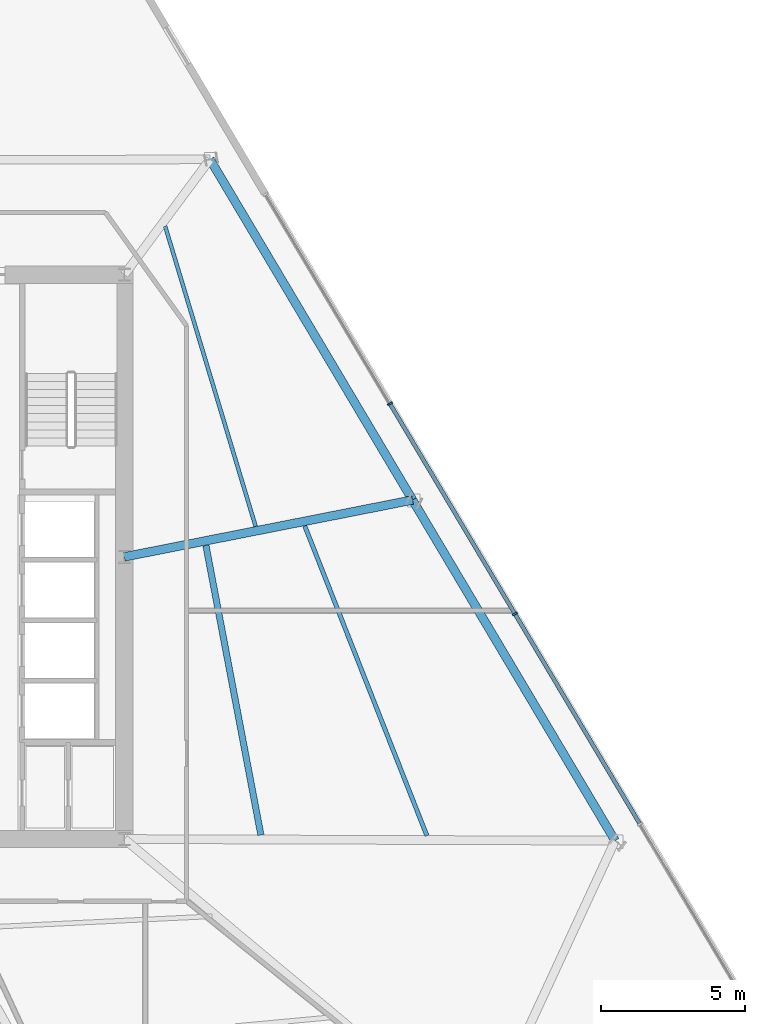
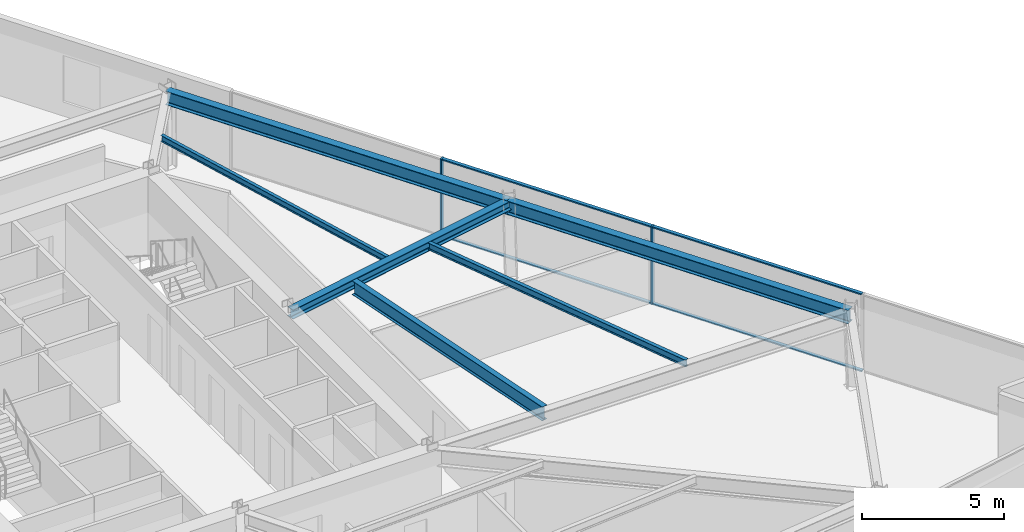
# One storey, part 6 of 18: 6 beams, 6 members, 1 element without a shape of its own.
"""IFC4 building model written with IfcOpenShell, lengths in metres."""

from ifc_helpers import new_model, si_unit, direction, frame, origin, origin_2d, place, context, subcontext, project, spatial, rectangle, i_section, extrude, material, material_profile, profile_set, type_object, element, aggregate, save


model = new_model("IFC4")

# Units and contexts
model_context = context("Model", 3, precision=1e-05, world=origin(), true_north=direction((0.0, 1.0)))
body_context = subcontext(model_context, "Body", "Model", "MODEL_VIEW")
ifc_project = project(units=[si_unit("LENGTHUNIT", "METRE"), si_unit("AREAUNIT", "SQUARE_METRE"), si_unit("VOLUMEUNIT", "CUBIC_METRE"), si_unit("PLANEANGLEUNIT", "RADIAN"), si_unit("MASSUNIT", "GRAM", prefix="KILO")], contexts=[model_context])

# Site, building, storey
site_placement = place(None, origin())
site = spatial("IfcSite", under=ifc_project, at=site_placement, CompositionType="ELEMENT")
building_placement = place(site_placement, origin())
building = spatial("IfcBuilding", under=site, at=building_placement, Name="Savorim Split Tower", CompositionType="ELEMENT")
storey_placement = place(building_placement, frame((0.0, 0.0, 40.800048828125)))
storey = spatial("IfcBuildingStorey", under=building, at=storey_placement, Name="L10", CompositionType="ELEMENT", Elevation=40.800048828125)

# Beams
ifc_material_1 = material(Name="Steel S355", Category="steel")
ifc_material_profile_1 = material_profile(ifc_material_1, i_section(OverallWidth=0.135009765625, OverallDepth=0.27001953125, WebThickness=0.006591796875, FlangeThickness=0.01025390625, FilletRadius=0.014892578125, at=origin_2d()), Name="IPE 270")
ifc_profile_set_1 = profile_set([ifc_material_profile_1], Name="Steel S355")
beam_type_1 = type_object("IfcBeamType", Name="BM-JST-IPE270", PredefinedType="JOIST", material=ifc_profile_set_1)
beam_1_placement = place(storey_placement, frame((12.257568359375, 1.46142578125, 3.21484375), z_axis=(-0.288637098089, 0.95743857537, 0.0), x_axis=(-0.95743857537, -0.288637098089, 0.0)))
element("IfcBeam", 1, at=beam_1_placement, inside=storey, type_object=beam_type_1, Name="L10 Secondary Floor Joist JS-07", PredefinedType="JOIST", context=body_context, shape_type="SweptSolid", body=[
    extrude(i_section(OverallWidth=0.135009765625, OverallDepth=0.27001953125, WebThickness=0.006591796875, FlangeThickness=0.01025390625, FilletRadius=0.014892578125, at=origin_2d()), origin(), (0.0, 0.0, 1.0), 10.89111328125),
])
ifc_material_profile_2 = material_profile(ifc_material_1, i_section(OverallWidth=0.14990234375, OverallDepth=0.300048828125, WebThickness=0.007080078125, FlangeThickness=0.0107421875, FilletRadius=0.014892578125, at=origin_2d()), Name="IPE 300")
ifc_profile_set_2 = profile_set([ifc_material_profile_2], Name="Steel S355")
beam_type_2 = type_object("IfcBeamType", Name="BM-JST-IPE300", PredefinedType="JOIST", material=ifc_profile_set_2)
beam_2_placement = place(storey_placement, frame((18.20751953125, -9.285400390625, 3.199951171875), z_axis=(-0.366877716276, 0.930269176798, 0.0), x_axis=(-0.930269176798, -0.366877716276, 0.0)))
element("IfcBeam", 2, at=beam_2_placement, inside=storey, type_object=beam_type_2, Name="L10 Secondary Floor Joist JS-06", PredefinedType="JOIST", context=body_context, shape_type="SweptSolid", body=[
    extrude(i_section(OverallWidth=0.14990234375, OverallDepth=0.300048828125, WebThickness=0.007080078125, FlangeThickness=0.0107421875, FilletRadius=0.014892578125, at=origin_2d()), origin(), (0.0, 0.0, 1.0), 11.567626953125),
])
ifc_material_profile_3 = material_profile(ifc_material_1, i_section(OverallWidth=0.219970703125, OverallDepth=0.60009765625, WebThickness=0.011962890625, FlangeThickness=0.01904296875, FilletRadius=0.02392578125, at=origin_2d()), Name="IPE 600")
ifc_profile_set_3 = profile_set([ifc_material_profile_3], Name="Steel S355")
beam_type_3 = type_object("IfcBeamType", Name="BM-JST-IPE600", PredefinedType="JOIST", material=ifc_profile_set_3)
beam_3_placement = place(storey_placement, frame((12.44189453125, -9.25830078125, 3.050048828125), z_axis=(-0.186628640705, 0.982430532134, 0.0), x_axis=(-0.982430532134, -0.186628640705, 0.0)))
element("IfcBeam", 3, at=beam_3_placement, inside=storey, type_object=beam_type_3, Name="L10 Secondary Floor Joist JS-08", PredefinedType="JOIST", context=body_context, shape_type="SweptSolid", body=[
    extrude(i_section(OverallWidth=0.219970703125, OverallDepth=0.60009765625, WebThickness=0.011962890625, FlangeThickness=0.01904296875, FilletRadius=0.02392578125, at=origin_2d()), origin(), (0.0, 0.0, 1.0), 10.233642578125),
])
ifc_material_profile_4 = material_profile(ifc_material_1, i_section(OverallWidth=0.300048828125, OverallDepth=0.39990234375, WebThickness=0.013427734375, FlangeThickness=0.02392578125, FilletRadius=0.027099609375, at=origin_2d()), Name="HEB 400")
ifc_profile_set_4 = profile_set([ifc_material_profile_4], Name="Steel S355")
beam_type_4 = type_object("IfcBeamType", Name="BM-PRI-HEB400", PredefinedType="BEAM", material=ifc_profile_set_4)
beam_4_placement = place(storey_placement, frame((17.7080078125, 2.37451171875, 3.14990234375), z_axis=(-0.981086409546, -0.193570289572, 0.0), x_axis=(0.193570289572, -0.981086409546, 0.0)))
element("IfcBeam", 4, at=beam_4_placement, inside=storey, type_object=beam_type_4, Name="L10 Primary Floor Girder RG-06", PredefinedType="BEAM", context=body_context, shape_type="SweptSolid", body=[
    extrude(i_section(OverallWidth=0.300048828125, OverallDepth=0.39990234375, WebThickness=0.013427734375, FlangeThickness=0.02392578125, FilletRadius=0.027099609375, at=origin_2d()), origin(), (0.0, 0.0, 1.0), 10.200927734375),
])
ifc_material_profile_5 = material_profile(ifc_material_1, i_section(OverallWidth=0.300048828125, OverallDepth=0.590087890625, WebThickness=0.012939453125, FlangeThickness=0.02490234375, FilletRadius=0.027099609375, at=origin_2d()), Name="HEA 600")
ifc_profile_set_5 = profile_set([ifc_material_profile_5], Name="Steel S355")
beam_type_5 = type_object("IfcBeamType", Name="BM-SPN-HEA600", PredefinedType="SPANDREL", material=ifc_profile_set_5)
beam_5_placement = place(storey_placement, frame((24.7421875, -9.455322265625, 3.054931640625), z_axis=(-0.511087435614, 0.85952872736, 0.0), x_axis=(-0.85952872736, -0.511087435614, 0.0)))
element("IfcBeam", 5, at=beam_5_placement, inside=storey, type_object=beam_type_5, Name="L10 Perimeter Spandrel Beam 5", PredefinedType="SPANDREL", context=body_context, shape_type="SweptSolid", body=[
    extrude(i_section(OverallWidth=0.300048828125, OverallDepth=0.590087890625, WebThickness=0.012939453125, FlangeThickness=0.02490234375, FilletRadius=0.027099609375, at=origin_2d()), origin(), (0.0, 0.0, 1.0), 13.76318359375),
])
beam_6_placement = place(storey_placement, frame((17.7080078125, 2.37451171875, 3.054931640625), z_axis=(-0.511092748133, 0.859525568442, 0.0), x_axis=(-0.859525568442, -0.511092748133, 0.0)))
element("IfcBeam", 6, at=beam_6_placement, inside=storey, type_object=beam_type_5, Name="L10 Perimeter Spandrel Beam 6", PredefinedType="SPANDREL", context=body_context, shape_type="SweptSolid", body=[
    extrude(i_section(OverallWidth=0.300048828125, OverallDepth=0.590087890625, WebThickness=0.012939453125, FlangeThickness=0.02490234375, FilletRadius=0.027099609375, at=origin_2d()), origin(), (0.0, 0.0, 1.0), 13.763427734375),
])

# Curtain wall, members
ifc_material_2 = material(Name="Dark Ceramic-Fritted Insulated Glass", Category="glass")
curtain_wall_type = type_object("IfcCurtainWallType", Name="CW-TWR-FRIT-A", PredefinedType="NOTDEFINED", material=ifc_material_2)
curtain_wall_placement = place(storey_placement, origin())
curtain_wall = element("IfcCurtainWall", 7, at=curtain_wall_placement, inside=storey, type_object=curtain_wall_type, Name="L10 Curtain Wall CW-L10-EAST", PredefinedType="NOTDEFINED")
ifc_material_3 = material(Name="Charcoal Anodised Aluminium", Category="aluminium")
ifc_material_profile_6 = material_profile(ifc_material_3, rectangle(XDim=0.179931640625, YDim=0.06494140625, at=origin_2d()), Name="ALU-M 180x65")
ifc_profile_set_6 = profile_set([ifc_material_profile_6], Name="Charcoal Anodised Aluminium")
member_type_1 = type_object("IfcMemberType", Name="CWM-180x65", PredefinedType="MULLION", material=ifc_profile_set_6)
member_1_placement = place(storey_placement, frame((21.263916015625, -1.5791015625, 0.0), z_axis=(0.0, 0.0, 1.0), x_axis=(-0.859525752007, -0.511092439425, 0.0)))
member_1 = element("IfcMember", 8, at=member_1_placement, type_object=member_type_1, Name="CW-02 mullion 3", PredefinedType="MULLION", context=body_context, shape_type="SweptSolid", body=[
    extrude(rectangle(XDim=0.179931640625, YDim=0.06494140625, at=origin_2d()), origin(), (0.0, 0.0, 1.0), 3.349853515625),
])
member_2_placement = place(storey_placement, frame((16.92333984375, 5.72021484375, 0.0), z_axis=(0.0, 0.0, 1.0), x_axis=(-0.859525752007, -0.511092439425, 0.0)))
member_2 = element("IfcMember", 9, at=member_2_placement, type_object=member_type_1, Name="CW-02 mullion 4", PredefinedType="MULLION", context=body_context, shape_type="SweptSolid", body=[
    extrude(rectangle(XDim=0.179931640625, YDim=0.06494140625, at=origin_2d()), origin(), (0.0, 0.0, 1.0), 3.349853515625),
])
ifc_material_profile_7 = material_profile(ifc_material_3, rectangle(XDim=0.139892578125, YDim=0.054931640625, at=origin_2d()), Name="ALU-T 140x55")
ifc_profile_set_7 = profile_set([ifc_material_profile_7], Name="Charcoal Anodised Aluminium")
member_type_2 = type_object("IfcMemberType", Name="CWT-140x55", PredefinedType="USERDEFINED", material=ifc_profile_set_7)
member_3_placement = place(storey_placement, frame((25.587646484375, -8.8505859375, 0.02734375), z_axis=(-0.511096217662, 0.859523505375, 0.0), x_axis=(-0.859523505375, -0.511096217662, 0.0)))
member_3 = element("IfcMember", 10, at=member_3_placement, type_object=member_type_2, Name="CW-02 transom 2.1", ObjectType="TRANSOM", PredefinedType="USERDEFINED", context=body_context, shape_type="SweptSolid", body=[
    extrude(rectangle(XDim=0.139892578125, YDim=0.054931640625, at=origin_2d()), origin(), (0.0, 0.0, 1.0), 8.42724609375),
])
member_4_placement = place(storey_placement, frame((25.587646484375, -8.8505859375, 3.322509765625), z_axis=(-0.511096217662, 0.859523505375, 0.0), x_axis=(-0.859523505375, -0.511096217662, 0.0)))
member_4 = element("IfcMember", 11, at=member_4_placement, type_object=member_type_2, Name="CW-02 transom 2.2", ObjectType="TRANSOM", PredefinedType="USERDEFINED", context=body_context, shape_type="SweptSolid", body=[
    extrude(rectangle(XDim=0.139892578125, YDim=0.054931640625, at=origin_2d()), origin(), (0.0, 0.0, 1.0), 8.42724609375),
])
member_5_placement = place(storey_placement, frame((21.2470703125, -1.55126953125, 0.02734375), z_axis=(-0.511096217662, 0.859523505375, 0.0), x_axis=(-0.859523505375, -0.511096217662, 0.0)))
member_5 = element("IfcMember", 12, at=member_5_placement, type_object=member_type_2, Name="CW-02 transom 3.1", ObjectType="TRANSOM", PredefinedType="USERDEFINED", context=body_context, shape_type="SweptSolid", body=[
    extrude(rectangle(XDim=0.139892578125, YDim=0.054931640625, at=origin_2d()), origin(), (0.0, 0.0, 1.0), 8.42724609375),
])
member_6_placement = place(storey_placement, frame((21.2470703125, -1.55126953125, 3.322509765625), z_axis=(-0.511096217662, 0.859523505375, 0.0), x_axis=(-0.859523505375, -0.511096217662, 0.0)))
member_6 = element("IfcMember", 13, at=member_6_placement, type_object=member_type_2, Name="CW-02 transom 3.2", ObjectType="TRANSOM", PredefinedType="USERDEFINED", context=body_context, shape_type="SweptSolid", body=[
    extrude(rectangle(XDim=0.139892578125, YDim=0.054931640625, at=origin_2d()), origin(), (0.0, 0.0, 1.0), 8.42724609375),
])
aggregate(curtain_wall, [member_1, member_2, member_3, member_4, member_5, member_6])

save(model, "model.ifc")
